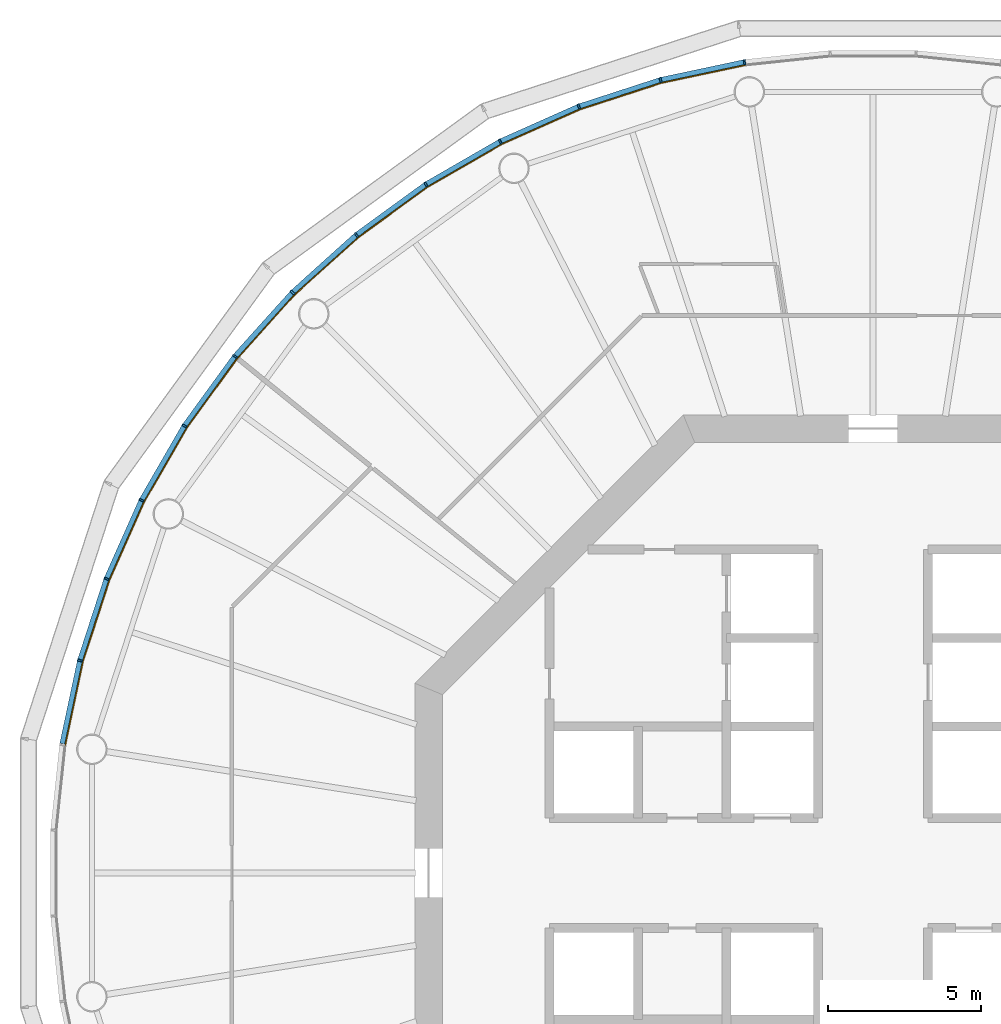
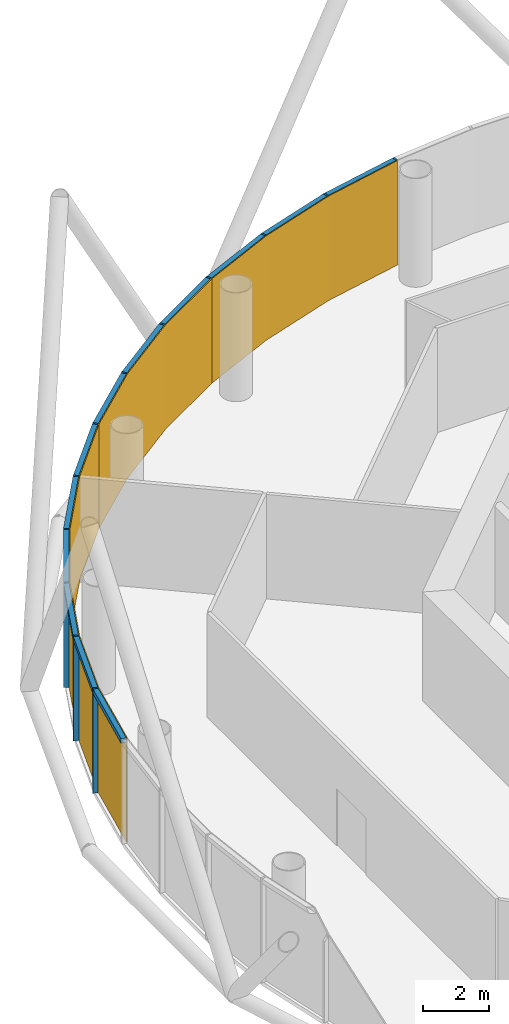
# One storey, part 10 of 13: 24 members, 4 curtain walls.
"""IFC4 building model written with IfcOpenShell, lengths in metres."""

from ifc_helpers import new_model, si_unit, direction, frame, origin, origin_2d, place, context, subcontext, project, spatial, polyline, rectangle, outline, extrude, material, layer, layer_set, material_profile, profile_set, type_object, element, aggregate, save


model = new_model("IFC4")

# Units and contexts
model_context = context("Model", 3, precision=1e-05, world=origin(), true_north=direction((0.0, 1.0)))
body_context = subcontext(model_context, "Body", "Model", "MODEL_VIEW")
ifc_project = project(units=[si_unit("LENGTHUNIT", "METRE"), si_unit("AREAUNIT", "SQUARE_METRE"), si_unit("VOLUMEUNIT", "CUBIC_METRE"), si_unit("PLANEANGLEUNIT", "RADIAN"), si_unit("MASSUNIT", "GRAM", prefix="KILO")], contexts=[model_context])

# Member
ifc_material_1 = material(Name="Anodised aluminium", Category="aluminium")
ifc_material_profile_1 = material_profile(ifc_material_1, rectangle(XDim=0.06005859375, YDim=0.169921875, at=origin_2d()), Name="Mullion 60 x 170 mm anodised aluminium")
ifc_profile_set_1 = profile_set([ifc_material_profile_1], Name="Anodised aluminium")
member_type_1 = type_object("IfcMemberType", Name="Mullion 60 x 170 mm anodised aluminium", PredefinedType="MULLION", material=ifc_profile_set_1)
site_placement = place(None, origin())
building_placement = place(site_placement, origin())
storey_placement = place(building_placement, frame((0.0, 0.0, 250.0)))
member_1_placement = place(storey_placement, frame((85.794189453125, 106.553955078125, 0.0), z_axis=(0.0, 0.0, 1.0), x_axis=(-0.987688340595, -0.15643446504, 0.0)))
member_1 = element("IfcMember", 1, at=member_1_placement, type_object=member_type_1, Name="MULLION L57-15", PredefinedType="MULLION", context=body_context, shape_type="SweptSolid", body=[
    extrude(rectangle(XDim=0.06005859375, YDim=0.169921875, at=origin_2d()), origin(), (0.0, 0.0, 1.0), 3.85009765625),
])

member_2_placement = place(storey_placement, frame((83.041748046875, 105.968994140625, 0.0), z_axis=(0.0, 0.0, 1.0), x_axis=(-0.965925826289, -0.258819045103, 0.0)))
member_2 = element("IfcMember", 2, at=member_2_placement, type_object=member_type_1, Name="MULLION L57-16", PredefinedType="MULLION", context=body_context, shape_type="SweptSolid", body=[
    extrude(rectangle(XDim=0.06005859375, YDim=0.169921875, at=origin_2d()), origin(), (0.0, 0.0, 1.0), 3.85009765625),
])

member_3_placement = place(storey_placement, frame((80.365234375, 105.099365234375, 0.0), z_axis=(0.0, 0.0, 1.0), x_axis=(-0.933580426497, -0.358367949545, 0.0)))
member_3 = element("IfcMember", 3, at=member_3_placement, type_object=member_type_1, Name="MULLION L57-17", PredefinedType="MULLION", context=body_context, shape_type="SweptSolid", body=[
    extrude(rectangle(XDim=0.06005859375, YDim=0.169921875, at=origin_2d()), origin(), (0.0, 0.0, 1.0), 3.85009765625),
])

member_4_placement = place(storey_placement, frame((77.79443359375, 103.95458984375, 0.0), z_axis=(0.0, 0.0, 1.0), x_axis=(-0.891006524188, -0.45399049974, 0.0)))
member_4 = element("IfcMember", 4, at=member_4_placement, type_object=member_type_1, Name="MULLION L57-18", PredefinedType="MULLION", context=body_context, shape_type="SweptSolid", body=[
    extrude(rectangle(XDim=0.06005859375, YDim=0.169921875, at=origin_2d()), origin(), (0.0, 0.0, 1.0), 3.85009765625),
])

member_5_placement = place(storey_placement, frame((75.357421875, 102.547607421875, 0.0), z_axis=(0.0, 0.0, 1.0), x_axis=(-0.838670567945, -0.544639035015, 0.0)))
member_5 = element("IfcMember", 5, at=member_5_placement, type_object=member_type_1, Name="MULLION L57-19", PredefinedType="MULLION", context=body_context, shape_type="SweptSolid", body=[
    extrude(rectangle(XDim=0.06005859375, YDim=0.169921875, at=origin_2d()), origin(), (0.0, 0.0, 1.0), 3.85009765625),
])

member_6_placement = place(storey_placement, frame((73.080810546875, 100.8935546875, 0.0), z_axis=(0.0, 0.0, 1.0), x_axis=(-0.777145961457, -0.62932039105, 0.0)))
member_6 = element("IfcMember", 6, at=member_6_placement, type_object=member_type_1, Name="MULLION L57-20", PredefinedType="MULLION", context=body_context, shape_type="SweptSolid", body=[
    extrude(rectangle(XDim=0.06005859375, YDim=0.169921875, at=origin_2d()), origin(), (0.0, 0.0, 1.0), 3.85009765625),
])

member_7_placement = place(storey_placement, frame((70.989501953125, 99.010498046875, 0.0), z_axis=(0.0, 0.0, 1.0), x_axis=(-0.707106781187, -0.707106781187, 0.0)))
member_7 = element("IfcMember", 7, at=member_7_placement, type_object=member_type_1, Name="MULLION L57-21", PredefinedType="MULLION", context=body_context, shape_type="SweptSolid", body=[
    extrude(rectangle(XDim=0.06005859375, YDim=0.169921875, at=origin_2d()), origin(), (0.0, 0.0, 1.0), 3.85009765625),
])

member_8_placement = place(storey_placement, frame((69.1064453125, 96.919189453125, 0.0), z_axis=(0.0, 0.0, 1.0), x_axis=(-0.62932039105, -0.777145961457, 0.0)))
member_8 = element("IfcMember", 8, at=member_8_placement, type_object=member_type_1, Name="MULLION L57-22", PredefinedType="MULLION", context=body_context, shape_type="SweptSolid", body=[
    extrude(rectangle(XDim=0.06005859375, YDim=0.169921875, at=origin_2d()), origin(), (0.0, 0.0, 1.0), 3.85009765625),
])

member_9_placement = place(storey_placement, frame((67.452392578125, 94.642578125, 0.0), z_axis=(0.0, 0.0, 1.0), x_axis=(-0.544639035015, -0.838670567945, 0.0)))
member_9 = element("IfcMember", 9, at=member_9_placement, type_object=member_type_1, Name="MULLION L57-23", PredefinedType="MULLION", context=body_context, shape_type="SweptSolid", body=[
    extrude(rectangle(XDim=0.06005859375, YDim=0.169921875, at=origin_2d()), origin(), (0.0, 0.0, 1.0), 3.85009765625),
])

member_10_placement = place(storey_placement, frame((66.04541015625, 92.20556640625, 0.0), z_axis=(0.0, 0.0, 1.0), x_axis=(-0.45399049974, -0.891006524188, 0.0)))
member_10 = element("IfcMember", 10, at=member_10_placement, type_object=member_type_1, Name="MULLION L57-24", PredefinedType="MULLION", context=body_context, shape_type="SweptSolid", body=[
    extrude(rectangle(XDim=0.06005859375, YDim=0.169921875, at=origin_2d()), origin(), (0.0, 0.0, 1.0), 3.85009765625),
])

member_11_placement = place(storey_placement, frame((64.900634765625, 89.634765625, 0.0), z_axis=(0.0, 0.0, 1.0), x_axis=(-0.358367949545, -0.933580426497, 0.0)))
member_11 = element("IfcMember", 11, at=member_11_placement, type_object=member_type_1, Name="MULLION L57-25", PredefinedType="MULLION", context=body_context, shape_type="SweptSolid", body=[
    extrude(rectangle(XDim=0.06005859375, YDim=0.169921875, at=origin_2d()), origin(), (0.0, 0.0, 1.0), 3.85009765625),
])

member_12_placement = place(storey_placement, frame((64.031005859375, 86.958251953125, 0.0), z_axis=(0.0, 0.0, 1.0), x_axis=(-0.258819045103, -0.965925826289, 0.0)))
member_12 = element("IfcMember", 12, at=member_12_placement, type_object=member_type_1, Name="MULLION L57-26", PredefinedType="MULLION", context=body_context, shape_type="SweptSolid", body=[
    extrude(rectangle(XDim=0.06005859375, YDim=0.169921875, at=origin_2d()), origin(), (0.0, 0.0, 1.0), 3.85009765625),
])

ifc_material_2 = material(Name="Anodised aluminium", Category="aluminium")
ifc_material_profile_2 = material_profile(ifc_material_2, rectangle(XDim=0.169921875, YDim=0.1650390625, at=origin_2d()), Name="Transom 165 x 170 mm anodised aluminium")
ifc_profile_set_2 = profile_set([ifc_material_profile_2], Name="Anodised aluminium")
member_type_2 = type_object("IfcMemberType", Name="Transom 165 x 170 mm anodised aluminium", PredefinedType="USERDEFINED", material=ifc_profile_set_2)
member_13_placement = place(storey_placement, frame((85.760498046875, 106.546875, 3.767578125), z_axis=(-0.97814212115, -0.207937468562, 0.0), x_axis=(0.207937468562, -0.97814212115, 0.0)))
member_13 = element("IfcMember", 13, at=member_13_placement, type_object=member_type_2, Name="TRANSOM L57-15", ObjectType="TRANSOM", PredefinedType="USERDEFINED", context=body_context, shape_type="SweptSolid", body=[
    extrude(rectangle(XDim=0.169921875, YDim=0.1650390625, at=origin_2d()), origin(), (0.0, 0.0, 1.0), 2.7451171875),
])

member_14_placement = place(storey_placement, frame((83.0087890625, 105.95849609375, 3.767578125), z_axis=(-0.951048445774, -0.309041831781, 0.0), x_axis=(0.309041831781, -0.951048445774, 0.0)))
member_14 = element("IfcMember", 14, at=member_14_placement, type_object=member_type_2, Name="TRANSOM L57-16", ObjectType="TRANSOM", PredefinedType="USERDEFINED", context=body_context, shape_type="SweptSolid", body=[
    extrude(rectangle(XDim=0.169921875, YDim=0.1650390625, at=origin_2d()), origin(), (0.0, 0.0, 1.0), 2.7451171875),
])

member_15_placement = place(storey_placement, frame((80.333740234375, 105.08544921875, 3.767578125), z_axis=(-0.913525267704, -0.406781987391, 0.0), x_axis=(0.406781987391, -0.913525267704, 0.0)))
member_15 = element("IfcMember", 15, at=member_15_placement, type_object=member_type_2, Name="TRANSOM L57-17", ObjectType="TRANSOM", PredefinedType="USERDEFINED", context=body_context, shape_type="SweptSolid", body=[
    extrude(rectangle(XDim=0.169921875, YDim=0.1650390625, at=origin_2d()), origin(), (0.0, 0.0, 1.0), 2.7451171875),
])

member_16_placement = place(storey_placement, frame((77.7646484375, 103.9375, 3.767578125), z_axis=(-0.866034527326, -0.49998419723, 0.0), x_axis=(0.49998419723, -0.866034527326, 0.0)))
member_16 = element("IfcMember", 16, at=member_16_placement, type_object=member_type_2, Name="TRANSOM L57-18", ObjectType="TRANSOM", PredefinedType="USERDEFINED", context=body_context, shape_type="SweptSolid", body=[
    extrude(rectangle(XDim=0.169921875, YDim=0.1650390625, at=origin_2d()), origin(), (0.0, 0.0, 1.0), 2.7451171875),
])

member_17_placement = place(storey_placement, frame((75.329345703125, 102.527587890625, 3.767578125), z_axis=(-0.808959086484, -0.587864947412, 0.0), x_axis=(0.587864947412, -0.808959086484, 0.0)))
member_17 = element("IfcMember", 17, at=member_17_placement, type_object=member_type_2, Name="TRANSOM L57-19", ObjectType="TRANSOM", PredefinedType="USERDEFINED", context=body_context, shape_type="SweptSolid", body=[
    extrude(rectangle(XDim=0.169921875, YDim=0.1650390625, at=origin_2d()), origin(), (0.0, 0.0, 1.0), 2.7451171875),
])

member_18_placement = place(storey_placement, frame((73.054931640625, 100.87060546875, 3.767578125), z_axis=(-0.743134927907, -0.669141598561, 0.0), x_axis=(0.669141598561, -0.743134927907, 0.0)))
member_18 = element("IfcMember", 18, at=member_18_placement, type_object=member_type_2, Name="TRANSOM L57-20", ObjectType="TRANSOM", PredefinedType="USERDEFINED", context=body_context, shape_type="SweptSolid", body=[
    extrude(rectangle(XDim=0.169921875, YDim=0.1650390625, at=origin_2d()), origin(), (0.0, 0.0, 1.0), 2.7451171875),
])

member_19_placement = place(storey_placement, frame((70.96630859375, 98.985107421875, 3.767578125), z_axis=(-0.669141598561, -0.743134927907, 0.0), x_axis=(0.743134927907, -0.669141598561, 0.0)))
member_19 = element("IfcMember", 19, at=member_19_placement, type_object=member_type_2, Name="TRANSOM L57-21", ObjectType="TRANSOM", PredefinedType="USERDEFINED", context=body_context, shape_type="SweptSolid", body=[
    extrude(rectangle(XDim=0.169921875, YDim=0.1650390625, at=origin_2d()), origin(), (0.0, 0.0, 1.0), 2.7451171875),
])

member_20_placement = place(storey_placement, frame((69.086181640625, 96.891357421875, 3.767578125), z_axis=(-0.587864947412, -0.808959086484, 0.0), x_axis=(0.808959086484, -0.587864947412, 0.0)))
member_20 = element("IfcMember", 20, at=member_20_placement, type_object=member_type_2, Name="TRANSOM L57-22", ObjectType="TRANSOM", PredefinedType="USERDEFINED", context=body_context, shape_type="SweptSolid", body=[
    extrude(rectangle(XDim=0.169921875, YDim=0.1650390625, at=origin_2d()), origin(), (0.0, 0.0, 1.0), 2.7451171875),
])

member_21_placement = place(storey_placement, frame((67.43505859375, 94.61279296875, 3.767578125), z_axis=(-0.49998419723, -0.866034527326, 0.0), x_axis=(0.866034527326, -0.49998419723, 0.0)))
member_21 = element("IfcMember", 21, at=member_21_placement, type_object=member_type_2, Name="TRANSOM L57-23", ObjectType="TRANSOM", PredefinedType="USERDEFINED", context=body_context, shape_type="SweptSolid", body=[
    extrude(rectangle(XDim=0.169921875, YDim=0.1650390625, at=origin_2d()), origin(), (0.0, 0.0, 1.0), 2.7451171875),
])

member_22_placement = place(storey_placement, frame((66.03125, 92.174072265625, 3.767578125), z_axis=(-0.406781987391, -0.913525267704, 0.0), x_axis=(0.913525267704, -0.406781987391, 0.0)))
member_22 = element("IfcMember", 22, at=member_22_placement, type_object=member_type_2, Name="TRANSOM L57-24", ObjectType="TRANSOM", PredefinedType="USERDEFINED", context=body_context, shape_type="SweptSolid", body=[
    extrude(rectangle(XDim=0.169921875, YDim=0.1650390625, at=origin_2d()), origin(), (0.0, 0.0, 1.0), 2.7451171875),
])

member_23_placement = place(storey_placement, frame((64.889892578125, 89.60205078125, 3.767578125), z_axis=(-0.309041831781, -0.951048445774, 0.0), x_axis=(0.951048445774, -0.309041831781, 0.0)))
member_23 = element("IfcMember", 23, at=member_23_placement, type_object=member_type_2, Name="TRANSOM L57-25", ObjectType="TRANSOM", PredefinedType="USERDEFINED", context=body_context, shape_type="SweptSolid", body=[
    extrude(rectangle(XDim=0.169921875, YDim=0.1650390625, at=origin_2d()), origin(), (0.0, 0.0, 1.0), 2.7451171875),
])

member_24_placement = place(storey_placement, frame((64.02392578125, 86.924560546875, 3.767578125), z_axis=(-0.207937468562, -0.97814212115, 0.0), x_axis=(0.97814212115, -0.207937468562, 0.0)))
member_24 = element("IfcMember", 24, at=member_24_placement, type_object=member_type_2, Name="TRANSOM L57-26", ObjectType="TRANSOM", PredefinedType="USERDEFINED", context=body_context, shape_type="SweptSolid", body=[
    extrude(rectangle(XDim=0.169921875, YDim=0.1650390625, at=origin_2d()), origin(), (0.0, 0.0, 1.0), 2.7451171875),
])

# Site, building, storey
site = spatial("IfcSite", under=ifc_project, at=site_placement, CompositionType="ELEMENT")
building = spatial("IfcBuilding", under=site, at=building_placement, Name="Entoto Ring Tower", CompositionType="ELEMENT")
storey = spatial("IfcBuildingStorey", under=building, at=storey_placement, Name="L57", CompositionType="ELEMENT", Elevation=250.0)

# Curtain wall
ifc_material_3 = material(Name="Clear low-iron glass", Category="glass")
ifc_layer = layer(ifc_material_3, 0.031982421875)
ifc_layer_set = layer_set([ifc_layer], Name="Clear low-iron glass")
curtain_wall_type = type_object("IfcCurtainWallType", Name="Curtain wall system CW4 glazing 32 mm", PredefinedType="NOTDEFINED", material=ifc_layer_set)
curtain_wall_1_placement = place(storey_placement, origin())
curtain_wall_1 = element("IfcCurtainWall", 25, at=curtain_wall_1_placement, inside=storey, type_object=curtain_wall_type, Name="CW4 L57-06", PredefinedType="NOTDEFINED", context=body_context, shape_type="SweptSolid", body=[
    extrude(outline(polyline([(85.8076171875, 106.469970703125), (83.063720703125, 105.88671875), (80.395751953125, 105.02001953125), (77.8330078125, 103.87890625), (77.84765625, 103.850341796875), (80.4072265625, 104.989990234375), (83.072021484375, 105.85595703125), (85.8125, 106.4384765625), (85.8076171875, 106.469970703125)])), origin(), (0.0, 0.0, 1.0), 3.85009765625),
])

aggregate(curtain_wall_1, [member_1, member_2, member_3, member_13, member_14, member_15])

curtain_wall_2_placement = place(storey_placement, origin())
curtain_wall_2 = element("IfcCurtainWall", 26, at=curtain_wall_2_placement, inside=storey, type_object=curtain_wall_type, Name="CW4 L57-07", PredefinedType="NOTDEFINED", context=body_context, shape_type="SweptSolid", body=[
    extrude(outline(polyline([(77.8330078125, 103.87890625), (75.403564453125, 102.476318359375), (73.13427734375, 100.827392578125), (71.049560546875, 98.950439453125), (71.072265625, 98.927734375), (73.154296875, 100.802490234375), (75.421142578125, 102.449462890625), (77.84765625, 103.850341796875), (77.8330078125, 103.87890625)])), origin(), (0.0, 0.0, 1.0), 3.85009765625),
])

aggregate(curtain_wall_2, [member_4, member_5, member_6, member_16, member_17, member_18])

curtain_wall_3_placement = place(storey_placement, origin())
curtain_wall_3 = element("IfcCurtainWall", 27, at=curtain_wall_3_placement, inside=storey, type_object=curtain_wall_type, Name="CW4 L57-08", PredefinedType="NOTDEFINED", context=body_context, shape_type="SweptSolid", body=[
    extrude(outline(polyline([(71.049560546875, 98.950439453125), (69.172607421875, 96.86572265625), (67.523681640625, 94.596435546875), (66.12109375, 92.1669921875), (66.149658203125, 92.15234375), (67.550537109375, 94.578857421875), (69.197509765625, 96.845703125), (71.072265625, 98.927734375), (71.049560546875, 98.950439453125)])), origin(), (0.0, 0.0, 1.0), 3.85009765625),
])

aggregate(curtain_wall_3, [member_7, member_8, member_9, member_19, member_20, member_21])

curtain_wall_4_placement = place(storey_placement, origin())
curtain_wall_4 = element("IfcCurtainWall", 28, at=curtain_wall_4_placement, inside=storey, type_object=curtain_wall_type, Name="CW4 L57-09", PredefinedType="NOTDEFINED", context=body_context, shape_type="SweptSolid", body=[
    extrude(outline(polyline([(66.12109375, 92.1669921875), (64.97998046875, 89.604248046875), (64.11328125, 86.936279296875), (63.530029296875, 84.1923828125), (63.5615234375, 84.1875), (64.14404296875, 86.927978515625), (65.010009765625, 89.5927734375), (66.149658203125, 92.15234375), (66.12109375, 92.1669921875)])), origin(), (0.0, 0.0, 1.0), 3.85009765625),
])

aggregate(curtain_wall_4, [member_10, member_11, member_12, member_22, member_23, member_24])

save(model, "model.ifc")
